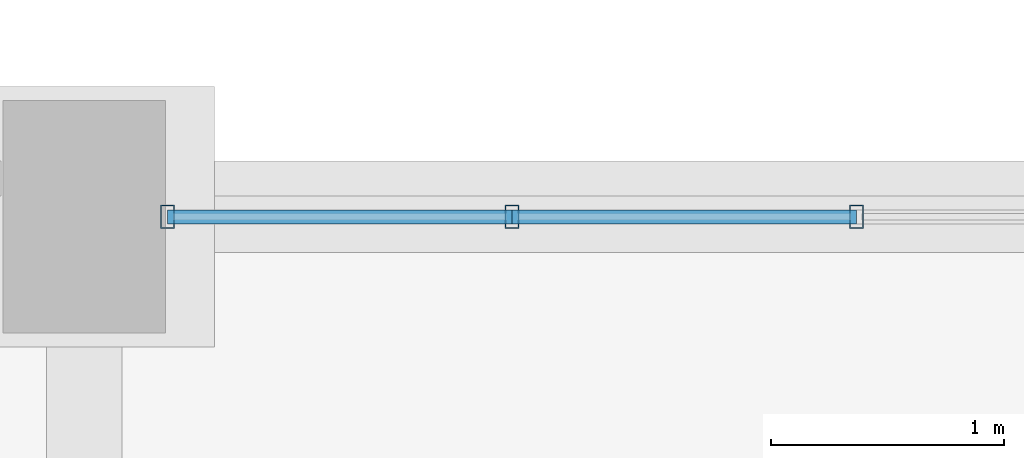
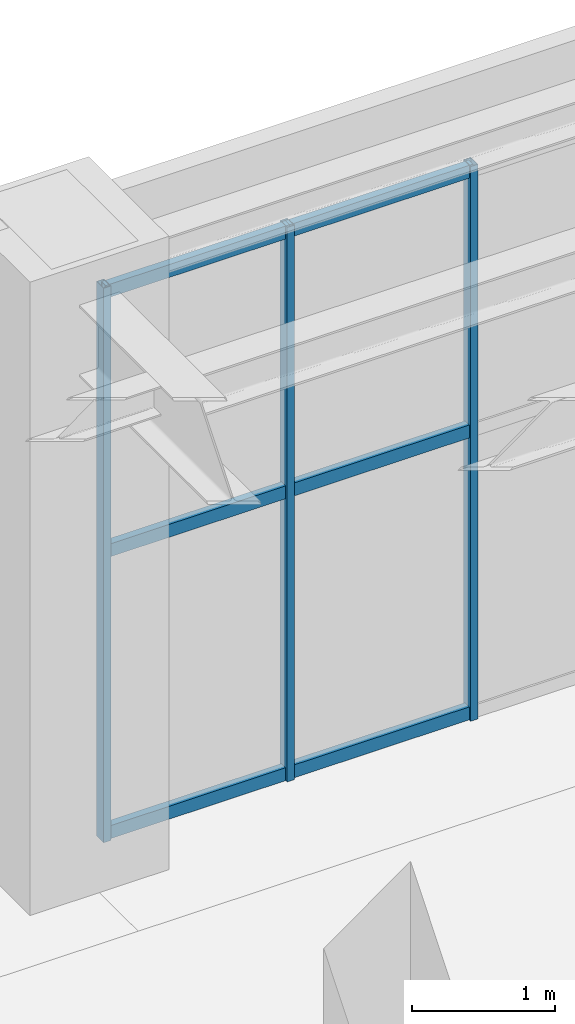
# One storey, part 84 of 164: 9 members, 1 element without a shape of its own.
"""IFC4 building model written with IfcOpenShell, lengths in metres."""

from ifc_helpers import new_model, si_unit, direction, frame, origin, origin_2d, place, context, subcontext, project, spatial, hollow_rectangle, extrude, material, material_profile, profile_set, type_object, element, aggregate, save


model = new_model("IFC4")

# Units and contexts
model_context = context("Model", 3, precision=1e-05, world=origin(), true_north=direction((0.0, 1.0)))
body_context = subcontext(model_context, "Body", "Model", "MODEL_VIEW")
ifc_project = project(units=[si_unit("LENGTHUNIT", "METRE"), si_unit("AREAUNIT", "SQUARE_METRE"), si_unit("VOLUMEUNIT", "CUBIC_METRE"), si_unit("PLANEANGLEUNIT", "RADIAN"), si_unit("MASSUNIT", "GRAM", prefix="KILO")], contexts=[model_context])

# Site, building, storey
site_placement = place(None, origin())
site = spatial("IfcSite", under=ifc_project, at=site_placement, CompositionType="ELEMENT")
building_placement = place(site_placement, origin())
building = spatial("IfcBuilding", under=site, at=building_placement, Name="Mavantir Sound Aquarium", CompositionType="ELEMENT")
storey_placement = place(building_placement, origin())
storey = spatial("IfcBuildingStorey", under=building, at=storey_placement, Name="L00", CompositionType="ELEMENT", Elevation=0.0)

# Curtain wall, members
ifc_material_1 = material(Name="Anodised Marine Aluminium and Low-E Glass", Category="aluminium")
curtain_wall_type = type_object("IfcCurtainWallType", Name="CW-T19", PredefinedType="USERDEFINED", material=ifc_material_1)
curtain_wall_placement = place(storey_placement, origin())
curtain_wall = element("IfcCurtainWall", 1, at=curtain_wall_placement, inside=storey, type_object=curtain_wall_type, Name="L00 unitised curtain wall CW-19 19", ObjectType="UNITISED GLAZING", PredefinedType="USERDEFINED")
ifc_material_2 = material(Name="Anodised Marine Aluminium 6063-T6", Category="aluminium")
ifc_material_profile_1 = material_profile(ifc_material_2, hollow_rectangle(XDim=0.06005859375, YDim=0.10009765625, WallThickness=0.00390625, at=origin_2d()), Name="ALU-MULLION-100X60")
ifc_profile_set_1 = profile_set([ifc_material_profile_1], Name="Anodised Marine Aluminium 6063-T6")
member_type_1 = type_object("IfcMemberType", Name="CW-MUL-100", PredefinedType="MULLION", material=ifc_profile_set_1)
member_1_placement = place(storey_placement, frame((111.3193359375, 95.60009765625, 0.0), z_axis=(0.0, 0.0, 1.0), x_axis=(1.0, 0.0, 0.0)))
member_1 = element("IfcMember", 2, at=member_1_placement, type_object=member_type_1, Name="CW-L00-019 vertical mullion 5", PredefinedType="MULLION", context=body_context, shape_type="SweptSolid", body=[
    extrude(hollow_rectangle(XDim=0.06005859375, YDim=0.10009765625, WallThickness=0.00390625, at=origin_2d()), origin(), (0.0, 0.0, 1.0), 4.72802734375),
])
member_2_placement = place(storey_placement, frame((109.838623046875, 95.60009765625, 0.0), z_axis=(0.0, 0.0, 1.0), x_axis=(1.0, 0.0, 0.0)))
member_2 = element("IfcMember", 3, at=member_2_placement, type_object=member_type_1, Name="CW-L00-019 vertical mullion 6", PredefinedType="MULLION", context=body_context, shape_type="SweptSolid", body=[
    extrude(hollow_rectangle(XDim=0.06005859375, YDim=0.10009765625, WallThickness=0.00390625, at=origin_2d()), origin(), (0.0, 0.0, 1.0), 4.72802734375),
])
member_3_placement = place(storey_placement, frame((108.35791015625, 95.60009765625, 0.0), z_axis=(0.0, 0.0, 1.0), x_axis=(1.0, 0.0, 0.0)))
member_3 = element("IfcMember", 4, at=member_3_placement, type_object=member_type_1, Name="CW-L00-019 vertical mullion 7", PredefinedType="MULLION", context=body_context, shape_type="SweptSolid", body=[
    extrude(hollow_rectangle(XDim=0.06005859375, YDim=0.10009765625, WallThickness=0.00390625, at=origin_2d()), origin(), (0.0, 0.0, 1.0), 4.72802734375),
])
ifc_material_profile_2 = material_profile(ifc_material_2, hollow_rectangle(XDim=0.06005859375, YDim=0.110107421875, WallThickness=0.00390625, at=origin_2d()), Name="ALU-TRANSOM-110X60")
ifc_profile_set_2 = profile_set([ifc_material_profile_2], Name="Anodised Marine Aluminium 6063-T6")
member_type_2 = type_object("IfcMemberType", Name="CW-TRN-110", PredefinedType="USERDEFINED", material=ifc_profile_set_2)
member_4_placement = place(storey_placement, frame((111.3193359375, 95.60009765625, 0.054931640625), z_axis=(-1.0, 0.0, 0.0), x_axis=(0.0, -1.0, 0.0)))
member_4 = element("IfcMember", 5, at=member_4_placement, type_object=member_type_2, Name="CW-L00-019 transom 5.1", ObjectType="TRANSOM", PredefinedType="USERDEFINED", context=body_context, shape_type="SweptSolid", body=[
    extrude(hollow_rectangle(XDim=0.06005859375, YDim=0.110107421875, WallThickness=0.00390625, at=origin_2d()), origin(), (0.0, 0.0, 1.0), 1.480712890625),
])
member_5_placement = place(storey_placement, frame((111.3193359375, 95.60009765625, 2.45849609375), z_axis=(-1.0, 0.0, 0.0), x_axis=(0.0, -1.0, 0.0)))
member_5 = element("IfcMember", 6, at=member_5_placement, type_object=member_type_2, Name="CW-L00-019 transom 5.2", ObjectType="TRANSOM", PredefinedType="USERDEFINED", context=body_context, shape_type="SweptSolid", body=[
    extrude(hollow_rectangle(XDim=0.06005859375, YDim=0.110107421875, WallThickness=0.00390625, at=origin_2d()), origin(), (0.0, 0.0, 1.0), 1.480712890625),
])
member_6_placement = place(storey_placement, frame((111.3193359375, 95.60009765625, 4.673095703125), z_axis=(-1.0, 0.0, 0.0), x_axis=(0.0, -1.0, 0.0)))
member_6 = element("IfcMember", 7, at=member_6_placement, type_object=member_type_2, Name="CW-L00-019 transom 5.3", ObjectType="TRANSOM", PredefinedType="USERDEFINED", context=body_context, shape_type="SweptSolid", body=[
    extrude(hollow_rectangle(XDim=0.06005859375, YDim=0.110107421875, WallThickness=0.00390625, at=origin_2d()), origin(), (0.0, 0.0, 1.0), 1.480712890625),
])
member_7_placement = place(storey_placement, frame((109.838623046875, 95.60009765625, 0.054931640625), z_axis=(-1.0, 0.0, 0.0), x_axis=(0.0, -1.0, 0.0)))
member_7 = element("IfcMember", 8, at=member_7_placement, type_object=member_type_2, Name="CW-L00-019 transom 6.1", ObjectType="TRANSOM", PredefinedType="USERDEFINED", context=body_context, shape_type="SweptSolid", body=[
    extrude(hollow_rectangle(XDim=0.06005859375, YDim=0.110107421875, WallThickness=0.00390625, at=origin_2d()), origin(), (0.0, 0.0, 1.0), 1.480712890625),
])
member_8_placement = place(storey_placement, frame((109.838623046875, 95.60009765625, 2.45849609375), z_axis=(-1.0, 0.0, 0.0), x_axis=(0.0, -1.0, 0.0)))
member_8 = element("IfcMember", 9, at=member_8_placement, type_object=member_type_2, Name="CW-L00-019 transom 6.2", ObjectType="TRANSOM", PredefinedType="USERDEFINED", context=body_context, shape_type="SweptSolid", body=[
    extrude(hollow_rectangle(XDim=0.06005859375, YDim=0.110107421875, WallThickness=0.00390625, at=origin_2d()), origin(), (0.0, 0.0, 1.0), 1.480712890625),
])
member_9_placement = place(storey_placement, frame((109.838623046875, 95.60009765625, 4.673095703125), z_axis=(-1.0, 0.0, 0.0), x_axis=(0.0, -1.0, 0.0)))
member_9 = element("IfcMember", 10, at=member_9_placement, type_object=member_type_2, Name="CW-L00-019 transom 6.3", ObjectType="TRANSOM", PredefinedType="USERDEFINED", context=body_context, shape_type="SweptSolid", body=[
    extrude(hollow_rectangle(XDim=0.06005859375, YDim=0.110107421875, WallThickness=0.00390625, at=origin_2d()), origin(), (0.0, 0.0, 1.0), 1.480712890625),
])
aggregate(curtain_wall, [member_1, member_2, member_3, member_4, member_5, member_6, member_7, member_8, member_9])

save(model, "model.ifc")
